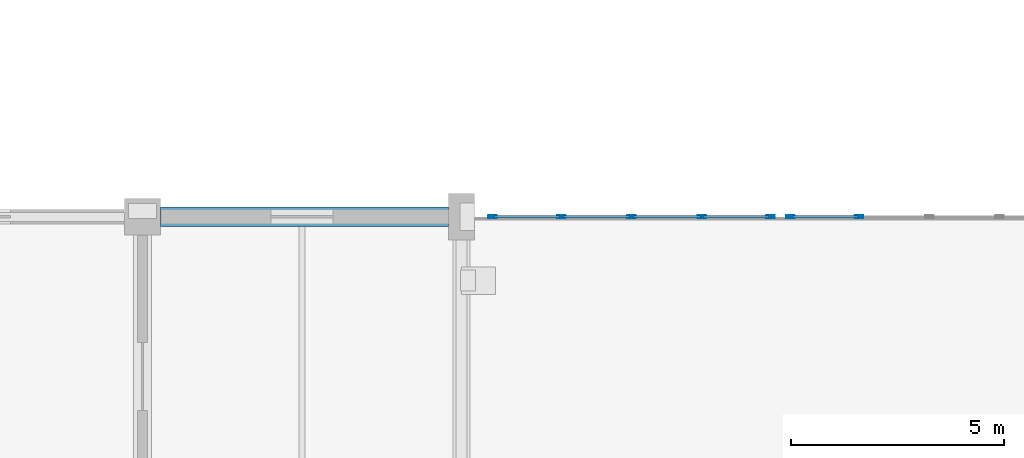
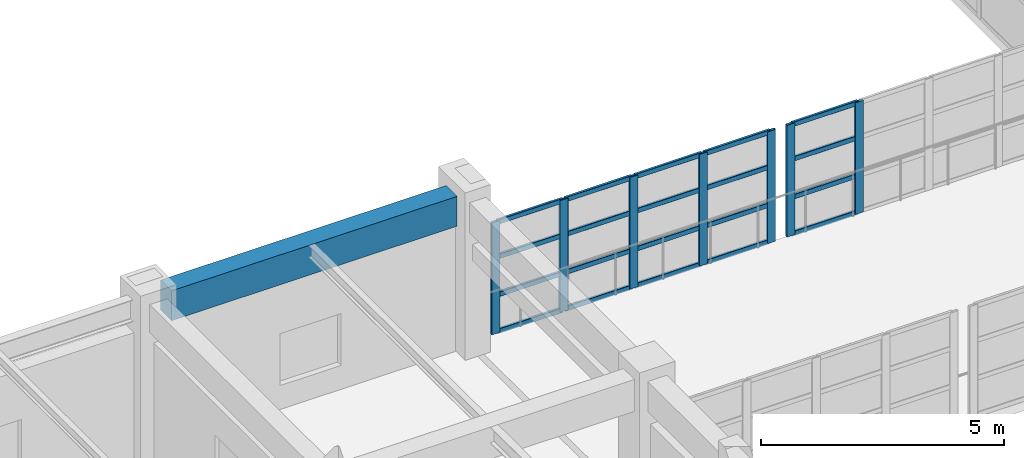
# One storey, part 58 of 132: 27 members, 1 beam, 2 elements without a shape of their own.
"""IFC4 building model written with IfcOpenShell, lengths in metres."""

from ifc_helpers import new_model, si_unit, direction, frame, origin, origin_2d, place, context, subcontext, project, spatial, rectangle, hollow_rectangle, extrude, material, material_profile, profile_set, type_object, element, aggregate, save


model = new_model("IFC4")

# Units and contexts
model_context = context("Model", 3, precision=1e-05, world=origin(), true_north=direction((0.0, 1.0)))
body_context = subcontext(model_context, "Body", "Model", "MODEL_VIEW")
ifc_project = project(units=[si_unit("LENGTHUNIT", "METRE"), si_unit("AREAUNIT", "SQUARE_METRE"), si_unit("VOLUMEUNIT", "CUBIC_METRE"), si_unit("PLANEANGLEUNIT", "RADIAN"), si_unit("MASSUNIT", "GRAM", prefix="KILO")], contexts=[model_context])

# Site, building, storey
site_placement = place(None, origin())
site = spatial("IfcSite", under=ifc_project, at=site_placement, CompositionType="ELEMENT")
building_placement = place(site_placement, origin())
building = spatial("IfcBuilding", under=site, at=building_placement, Name="Qasida Concert Hall", CompositionType="ELEMENT")
storey_placement = place(building_placement, frame((0.0, 0.0, 4.800048828125)))
storey = spatial("IfcBuildingStorey", under=building, at=storey_placement, Name="L01", CompositionType="ELEMENT", Elevation=4.800048828125)

# Beam
ifc_material_1 = material(Name="Concrete C40/50", Category="concrete")
ifc_material_profile_1 = material_profile(ifc_material_1, rectangle(XDim=0.449951171875, YDim=0.75, at=origin_2d()), Name="RC 450x750")
ifc_profile_set_1 = profile_set([ifc_material_profile_1], Name="Concrete C40/50")
beam_type = type_object("IfcBeamType", Name="BM-SP4", PredefinedType="SPANDREL", material=ifc_profile_set_1)
beam_placement = place(storey_placement, frame((97.925048828125, 82.5, 3.544921875), z_axis=(1.0, 0.0, 0.0), x_axis=(0.0, 1.0, 0.0)))
element("IfcBeam", 1, at=beam_placement, inside=storey, type_object=beam_type, Name="Primary girder 0797", PredefinedType="SPANDREL", context=body_context, shape_type="SweptSolid", body=[
    extrude(rectangle(XDim=0.449951171875, YDim=0.75, at=origin_2d()), origin(), (0.0, 0.0, 1.0), 6.77490234375),
])

# Curtain wall, members
ifc_material_2 = material(Name="Architectural bronze-anodized aluminium and low-E glass", Category="aluminium")
curtain_wall_type = type_object("IfcCurtainWallType", Name="CW-08", PredefinedType="NOTDEFINED", material=ifc_material_2)
curtain_wall_1_placement = place(storey_placement, origin())
curtain_wall_1 = element("IfcCurtainWall", 2, at=curtain_wall_1_placement, inside=storey, type_object=curtain_wall_type, Name="L01 link bridge glazing 0227", PredefinedType="NOTDEFINED")
ifc_material_3 = material(Name="Architectural bronze-anodized aluminium EN AW-6063", Category="aluminium")
ifc_material_profile_2 = material_profile(ifc_material_3, hollow_rectangle(XDim=0.06494140625, YDim=0.199951171875, WallThickness=0.0048828125, InnerFilletRadius=0.0048828125, OuterFilletRadius=0.010009765625, at=origin_2d()), Name="CWM 200x65x5")
ifc_profile_set_2 = profile_set([ifc_material_profile_2], Name="Architectural bronze-anodized aluminium EN AW-6063")
member_type_1 = type_object("IfcMemberType", Name="MB-CWM-2", PredefinedType="MULLION", material=ifc_profile_set_2)
member_1_placement = place(storey_placement, frame((105.732421875, 82.5, 0.0), z_axis=(0.0, 0.0, 1.0), x_axis=(0.0, 1.0, 0.0)))
member_1 = element("IfcMember", 3, at=member_1_placement, type_object=member_type_1, Name="CW-08 mullion 1", PredefinedType="MULLION", context=body_context, shape_type="SweptSolid", body=[
    extrude(hollow_rectangle(XDim=0.06494140625, YDim=0.199951171875, WallThickness=0.0048828125, InnerFilletRadius=0.0048828125, OuterFilletRadius=0.010009765625, at=origin_2d()), origin(), (0.0, 0.0, 1.0), 2.800048828125),
])
member_2_placement = place(storey_placement, frame((107.35009765625, 82.5, 0.0), z_axis=(0.0, 0.0, 1.0), x_axis=(0.0, 1.0, 0.0)))
member_2 = element("IfcMember", 4, at=member_2_placement, type_object=member_type_1, Name="CW-08 mullion 2", PredefinedType="MULLION", context=body_context, shape_type="SweptSolid", body=[
    extrude(hollow_rectangle(XDim=0.06494140625, YDim=0.199951171875, WallThickness=0.0048828125, InnerFilletRadius=0.0048828125, OuterFilletRadius=0.010009765625, at=origin_2d()), origin(), (0.0, 0.0, 1.0), 2.800048828125),
])
member_3_placement = place(storey_placement, frame((109.0, 82.5, 0.0), z_axis=(0.0, 0.0, 1.0), x_axis=(0.0, 1.0, 0.0)))
member_3 = element("IfcMember", 5, at=member_3_placement, type_object=member_type_1, Name="CW-08 mullion 3", PredefinedType="MULLION", context=body_context, shape_type="SweptSolid", body=[
    extrude(hollow_rectangle(XDim=0.06494140625, YDim=0.199951171875, WallThickness=0.0048828125, InnerFilletRadius=0.0048828125, OuterFilletRadius=0.010009765625, at=origin_2d()), origin(), (0.0, 0.0, 1.0), 2.800048828125),
])
member_4_placement = place(storey_placement, frame((110.64990234375, 82.5, 0.0), z_axis=(0.0, 0.0, 1.0), x_axis=(0.0, 1.0, 0.0)))
member_4 = element("IfcMember", 6, at=member_4_placement, type_object=member_type_1, Name="CW-08 mullion 4", PredefinedType="MULLION", context=body_context, shape_type="SweptSolid", body=[
    extrude(hollow_rectangle(XDim=0.06494140625, YDim=0.199951171875, WallThickness=0.0048828125, InnerFilletRadius=0.0048828125, OuterFilletRadius=0.010009765625, at=origin_2d()), origin(), (0.0, 0.0, 1.0), 2.800048828125),
])
member_5_placement = place(storey_placement, frame((112.267578125, 82.5, 0.0), z_axis=(0.0, 0.0, 1.0), x_axis=(0.0, 1.0, 0.0)))
member_5 = element("IfcMember", 7, at=member_5_placement, type_object=member_type_1, Name="CW-08 mullion 5", PredefinedType="MULLION", context=body_context, shape_type="SweptSolid", body=[
    extrude(hollow_rectangle(XDim=0.06494140625, YDim=0.199951171875, WallThickness=0.0048828125, InnerFilletRadius=0.0048828125, OuterFilletRadius=0.010009765625, at=origin_2d()), origin(), (0.0, 0.0, 1.0), 2.800048828125),
])

curtain_wall_2_placement = place(storey_placement, origin())
curtain_wall_2 = element("IfcCurtainWall", 8, at=curtain_wall_2_placement, inside=storey, type_object=curtain_wall_type, Name="L01 link bridge glazing 0229", PredefinedType="NOTDEFINED")
member_6_placement = place(storey_placement, frame((112.732421875, 82.5, 0.0), z_axis=(0.0, 0.0, 1.0), x_axis=(0.0, 1.0, 0.0)))
member_6 = element("IfcMember", 9, at=member_6_placement, type_object=member_type_1, Name="CW-08 mullion 1", PredefinedType="MULLION", context=body_context, shape_type="SweptSolid", body=[
    extrude(hollow_rectangle(XDim=0.06494140625, YDim=0.199951171875, WallThickness=0.0048828125, InnerFilletRadius=0.0048828125, OuterFilletRadius=0.010009765625, at=origin_2d()), origin(), (0.0, 0.0, 1.0), 2.800048828125),
])
member_7_placement = place(storey_placement, frame((114.35009765625, 82.5, 0.0), z_axis=(0.0, 0.0, 1.0), x_axis=(0.0, 1.0, 0.0)))
member_7 = element("IfcMember", 10, at=member_7_placement, type_object=member_type_1, Name="CW-08 mullion 2", PredefinedType="MULLION", context=body_context, shape_type="SweptSolid", body=[
    extrude(hollow_rectangle(XDim=0.06494140625, YDim=0.199951171875, WallThickness=0.0048828125, InnerFilletRadius=0.0048828125, OuterFilletRadius=0.010009765625, at=origin_2d()), origin(), (0.0, 0.0, 1.0), 2.800048828125),
])

# Member
ifc_material_profile_3 = material_profile(ifc_material_3, hollow_rectangle(XDim=0.06005859375, YDim=0.1201171875, WallThickness=0.00390625, InnerFilletRadius=0.00390625, OuterFilletRadius=0.008056640625, at=origin_2d()), Name="CWT 120x60x4")
ifc_profile_set_3 = profile_set([ifc_material_profile_3], Name="Architectural bronze-anodized aluminium EN AW-6063")
member_type_2 = type_object("IfcMemberType", Name="MB-CWT-2", PredefinedType="USERDEFINED", material=ifc_profile_set_3)
member_8_placement = place(storey_placement, frame((105.764892578125, 82.5, 0.030029296875), z_axis=(1.0, 0.0, 0.0), x_axis=(0.0, 1.0, 0.0)))
member_8 = element("IfcMember", 11, at=member_8_placement, type_object=member_type_2, Name="CW-08 transom 1.1", ObjectType="TRANSOM", PredefinedType="USERDEFINED", context=body_context, shape_type="SweptSolid", body=[
    extrude(hollow_rectangle(XDim=0.06005859375, YDim=0.1201171875, WallThickness=0.00390625, InnerFilletRadius=0.00390625, OuterFilletRadius=0.008056640625, at=origin_2d()), origin(), (0.0, 0.0, 1.0), 1.552490234375),
])

member_9_placement = place(storey_placement, frame((105.764892578125, 82.5, 0.949951171875), z_axis=(1.0, 0.0, 0.0), x_axis=(0.0, 1.0, 0.0)))
member_9 = element("IfcMember", 12, at=member_9_placement, type_object=member_type_2, Name="CW-08 transom 1.2", ObjectType="TRANSOM", PredefinedType="USERDEFINED", context=body_context, shape_type="SweptSolid", body=[
    extrude(hollow_rectangle(XDim=0.06005859375, YDim=0.1201171875, WallThickness=0.00390625, InnerFilletRadius=0.00390625, OuterFilletRadius=0.008056640625, at=origin_2d()), origin(), (0.0, 0.0, 1.0), 1.552490234375),
])

member_10_placement = place(storey_placement, frame((105.764892578125, 82.5, 1.89990234375), z_axis=(1.0, 0.0, 0.0), x_axis=(0.0, 1.0, 0.0)))
member_10 = element("IfcMember", 13, at=member_10_placement, type_object=member_type_2, Name="CW-08 transom 1.3", ObjectType="TRANSOM", PredefinedType="USERDEFINED", context=body_context, shape_type="SweptSolid", body=[
    extrude(hollow_rectangle(XDim=0.06005859375, YDim=0.1201171875, WallThickness=0.00390625, InnerFilletRadius=0.00390625, OuterFilletRadius=0.008056640625, at=origin_2d()), origin(), (0.0, 0.0, 1.0), 1.552490234375),
])

member_11_placement = place(storey_placement, frame((105.764892578125, 82.5, 2.77001953125), z_axis=(1.0, 0.0, 0.0), x_axis=(0.0, 1.0, 0.0)))
member_11 = element("IfcMember", 14, at=member_11_placement, type_object=member_type_2, Name="CW-08 transom 1.4", ObjectType="TRANSOM", PredefinedType="USERDEFINED", context=body_context, shape_type="SweptSolid", body=[
    extrude(hollow_rectangle(XDim=0.06005859375, YDim=0.1201171875, WallThickness=0.00390625, InnerFilletRadius=0.00390625, OuterFilletRadius=0.008056640625, at=origin_2d()), origin(), (0.0, 0.0, 1.0), 1.552490234375),
])

member_12_placement = place(storey_placement, frame((107.382568359375, 82.5, 0.030029296875), z_axis=(1.0, 0.0, 0.0), x_axis=(0.0, 1.0, 0.0)))
member_12 = element("IfcMember", 15, at=member_12_placement, type_object=member_type_2, Name="CW-08 transom 2.1", ObjectType="TRANSOM", PredefinedType="USERDEFINED", context=body_context, shape_type="SweptSolid", body=[
    extrude(hollow_rectangle(XDim=0.06005859375, YDim=0.1201171875, WallThickness=0.00390625, InnerFilletRadius=0.00390625, OuterFilletRadius=0.008056640625, at=origin_2d()), origin(), (0.0, 0.0, 1.0), 1.5849609375),
])

member_13_placement = place(storey_placement, frame((107.382568359375, 82.5, 0.949951171875), z_axis=(1.0, 0.0, 0.0), x_axis=(0.0, 1.0, 0.0)))
member_13 = element("IfcMember", 16, at=member_13_placement, type_object=member_type_2, Name="CW-08 transom 2.2", ObjectType="TRANSOM", PredefinedType="USERDEFINED", context=body_context, shape_type="SweptSolid", body=[
    extrude(hollow_rectangle(XDim=0.06005859375, YDim=0.1201171875, WallThickness=0.00390625, InnerFilletRadius=0.00390625, OuterFilletRadius=0.008056640625, at=origin_2d()), origin(), (0.0, 0.0, 1.0), 1.5849609375),
])

member_14_placement = place(storey_placement, frame((107.382568359375, 82.5, 1.89990234375), z_axis=(1.0, 0.0, 0.0), x_axis=(0.0, 1.0, 0.0)))
member_14 = element("IfcMember", 17, at=member_14_placement, type_object=member_type_2, Name="CW-08 transom 2.3", ObjectType="TRANSOM", PredefinedType="USERDEFINED", context=body_context, shape_type="SweptSolid", body=[
    extrude(hollow_rectangle(XDim=0.06005859375, YDim=0.1201171875, WallThickness=0.00390625, InnerFilletRadius=0.00390625, OuterFilletRadius=0.008056640625, at=origin_2d()), origin(), (0.0, 0.0, 1.0), 1.5849609375),
])

member_15_placement = place(storey_placement, frame((107.382568359375, 82.5, 2.77001953125), z_axis=(1.0, 0.0, 0.0), x_axis=(0.0, 1.0, 0.0)))
member_15 = element("IfcMember", 18, at=member_15_placement, type_object=member_type_2, Name="CW-08 transom 2.4", ObjectType="TRANSOM", PredefinedType="USERDEFINED", context=body_context, shape_type="SweptSolid", body=[
    extrude(hollow_rectangle(XDim=0.06005859375, YDim=0.1201171875, WallThickness=0.00390625, InnerFilletRadius=0.00390625, OuterFilletRadius=0.008056640625, at=origin_2d()), origin(), (0.0, 0.0, 1.0), 1.5849609375),
])

member_16_placement = place(storey_placement, frame((109.032470703125, 82.5, 0.030029296875), z_axis=(1.0, 0.0, 0.0), x_axis=(0.0, 1.0, 0.0)))
member_16 = element("IfcMember", 19, at=member_16_placement, type_object=member_type_2, Name="CW-08 transom 3.1", ObjectType="TRANSOM", PredefinedType="USERDEFINED", context=body_context, shape_type="SweptSolid", body=[
    extrude(hollow_rectangle(XDim=0.06005859375, YDim=0.1201171875, WallThickness=0.00390625, InnerFilletRadius=0.00390625, OuterFilletRadius=0.008056640625, at=origin_2d()), origin(), (0.0, 0.0, 1.0), 1.5849609375),
])

member_17_placement = place(storey_placement, frame((109.032470703125, 82.5, 0.949951171875), z_axis=(1.0, 0.0, 0.0), x_axis=(0.0, 1.0, 0.0)))
member_17 = element("IfcMember", 20, at=member_17_placement, type_object=member_type_2, Name="CW-08 transom 3.2", ObjectType="TRANSOM", PredefinedType="USERDEFINED", context=body_context, shape_type="SweptSolid", body=[
    extrude(hollow_rectangle(XDim=0.06005859375, YDim=0.1201171875, WallThickness=0.00390625, InnerFilletRadius=0.00390625, OuterFilletRadius=0.008056640625, at=origin_2d()), origin(), (0.0, 0.0, 1.0), 1.5849609375),
])

member_18_placement = place(storey_placement, frame((109.032470703125, 82.5, 1.89990234375), z_axis=(1.0, 0.0, 0.0), x_axis=(0.0, 1.0, 0.0)))
member_18 = element("IfcMember", 21, at=member_18_placement, type_object=member_type_2, Name="CW-08 transom 3.3", ObjectType="TRANSOM", PredefinedType="USERDEFINED", context=body_context, shape_type="SweptSolid", body=[
    extrude(hollow_rectangle(XDim=0.06005859375, YDim=0.1201171875, WallThickness=0.00390625, InnerFilletRadius=0.00390625, OuterFilletRadius=0.008056640625, at=origin_2d()), origin(), (0.0, 0.0, 1.0), 1.5849609375),
])

member_19_placement = place(storey_placement, frame((109.032470703125, 82.5, 2.77001953125), z_axis=(1.0, 0.0, 0.0), x_axis=(0.0, 1.0, 0.0)))
member_19 = element("IfcMember", 22, at=member_19_placement, type_object=member_type_2, Name="CW-08 transom 3.4", ObjectType="TRANSOM", PredefinedType="USERDEFINED", context=body_context, shape_type="SweptSolid", body=[
    extrude(hollow_rectangle(XDim=0.06005859375, YDim=0.1201171875, WallThickness=0.00390625, InnerFilletRadius=0.00390625, OuterFilletRadius=0.008056640625, at=origin_2d()), origin(), (0.0, 0.0, 1.0), 1.5849609375),
])

member_20_placement = place(storey_placement, frame((110.6826171875, 82.5, 0.030029296875), z_axis=(1.0, 0.0, 0.0), x_axis=(0.0, 1.0, 0.0)))
member_20 = element("IfcMember", 23, at=member_20_placement, type_object=member_type_2, Name="CW-08 transom 4.1", ObjectType="TRANSOM", PredefinedType="USERDEFINED", context=body_context, shape_type="SweptSolid", body=[
    extrude(hollow_rectangle(XDim=0.06005859375, YDim=0.1201171875, WallThickness=0.00390625, InnerFilletRadius=0.00390625, OuterFilletRadius=0.008056640625, at=origin_2d()), origin(), (0.0, 0.0, 1.0), 1.552490234375),
])

member_21_placement = place(storey_placement, frame((110.6826171875, 82.5, 0.949951171875), z_axis=(1.0, 0.0, 0.0), x_axis=(0.0, 1.0, 0.0)))
member_21 = element("IfcMember", 24, at=member_21_placement, type_object=member_type_2, Name="CW-08 transom 4.2", ObjectType="TRANSOM", PredefinedType="USERDEFINED", context=body_context, shape_type="SweptSolid", body=[
    extrude(hollow_rectangle(XDim=0.06005859375, YDim=0.1201171875, WallThickness=0.00390625, InnerFilletRadius=0.00390625, OuterFilletRadius=0.008056640625, at=origin_2d()), origin(), (0.0, 0.0, 1.0), 1.552490234375),
])

member_22_placement = place(storey_placement, frame((110.6826171875, 82.5, 1.89990234375), z_axis=(1.0, 0.0, 0.0), x_axis=(0.0, 1.0, 0.0)))
member_22 = element("IfcMember", 25, at=member_22_placement, type_object=member_type_2, Name="CW-08 transom 4.3", ObjectType="TRANSOM", PredefinedType="USERDEFINED", context=body_context, shape_type="SweptSolid", body=[
    extrude(hollow_rectangle(XDim=0.06005859375, YDim=0.1201171875, WallThickness=0.00390625, InnerFilletRadius=0.00390625, OuterFilletRadius=0.008056640625, at=origin_2d()), origin(), (0.0, 0.0, 1.0), 1.552490234375),
])

member_23_placement = place(storey_placement, frame((110.6826171875, 82.5, 2.77001953125), z_axis=(1.0, 0.0, 0.0), x_axis=(0.0, 1.0, 0.0)))
member_23 = element("IfcMember", 26, at=member_23_placement, type_object=member_type_2, Name="CW-08 transom 4.4", ObjectType="TRANSOM", PredefinedType="USERDEFINED", context=body_context, shape_type="SweptSolid", body=[
    extrude(hollow_rectangle(XDim=0.06005859375, YDim=0.1201171875, WallThickness=0.00390625, InnerFilletRadius=0.00390625, OuterFilletRadius=0.008056640625, at=origin_2d()), origin(), (0.0, 0.0, 1.0), 1.552490234375),
])

aggregate(curtain_wall_1, [member_1, member_2, member_3, member_4, member_5, member_8, member_9, member_10, member_11, member_12, member_13, member_14, member_15, member_16, member_17, member_18, member_19, member_20, member_21, member_22, member_23])

member_24_placement = place(storey_placement, frame((112.764892578125, 82.5, 0.030029296875), z_axis=(1.0, 0.0, 0.0), x_axis=(0.0, 1.0, 0.0)))
member_24 = element("IfcMember", 27, at=member_24_placement, type_object=member_type_2, Name="CW-08 transom 1.1", ObjectType="TRANSOM", PredefinedType="USERDEFINED", context=body_context, shape_type="SweptSolid", body=[
    extrude(hollow_rectangle(XDim=0.06005859375, YDim=0.1201171875, WallThickness=0.00390625, InnerFilletRadius=0.00390625, OuterFilletRadius=0.008056640625, at=origin_2d()), origin(), (0.0, 0.0, 1.0), 1.552490234375),
])

member_25_placement = place(storey_placement, frame((112.764892578125, 82.5, 0.949951171875), z_axis=(1.0, 0.0, 0.0), x_axis=(0.0, 1.0, 0.0)))
member_25 = element("IfcMember", 28, at=member_25_placement, type_object=member_type_2, Name="CW-08 transom 1.2", ObjectType="TRANSOM", PredefinedType="USERDEFINED", context=body_context, shape_type="SweptSolid", body=[
    extrude(hollow_rectangle(XDim=0.06005859375, YDim=0.1201171875, WallThickness=0.00390625, InnerFilletRadius=0.00390625, OuterFilletRadius=0.008056640625, at=origin_2d()), origin(), (0.0, 0.0, 1.0), 1.552490234375),
])

member_26_placement = place(storey_placement, frame((112.764892578125, 82.5, 1.89990234375), z_axis=(1.0, 0.0, 0.0), x_axis=(0.0, 1.0, 0.0)))
member_26 = element("IfcMember", 29, at=member_26_placement, type_object=member_type_2, Name="CW-08 transom 1.3", ObjectType="TRANSOM", PredefinedType="USERDEFINED", context=body_context, shape_type="SweptSolid", body=[
    extrude(hollow_rectangle(XDim=0.06005859375, YDim=0.1201171875, WallThickness=0.00390625, InnerFilletRadius=0.00390625, OuterFilletRadius=0.008056640625, at=origin_2d()), origin(), (0.0, 0.0, 1.0), 1.552490234375),
])

member_27_placement = place(storey_placement, frame((112.764892578125, 82.5, 2.77001953125), z_axis=(1.0, 0.0, 0.0), x_axis=(0.0, 1.0, 0.0)))
member_27 = element("IfcMember", 30, at=member_27_placement, type_object=member_type_2, Name="CW-08 transom 1.4", ObjectType="TRANSOM", PredefinedType="USERDEFINED", context=body_context, shape_type="SweptSolid", body=[
    extrude(hollow_rectangle(XDim=0.06005859375, YDim=0.1201171875, WallThickness=0.00390625, InnerFilletRadius=0.00390625, OuterFilletRadius=0.008056640625, at=origin_2d()), origin(), (0.0, 0.0, 1.0), 1.552490234375),
])

aggregate(curtain_wall_2, [member_6, member_7, member_24, member_25, member_26, member_27])

save(model, "model.ifc")
